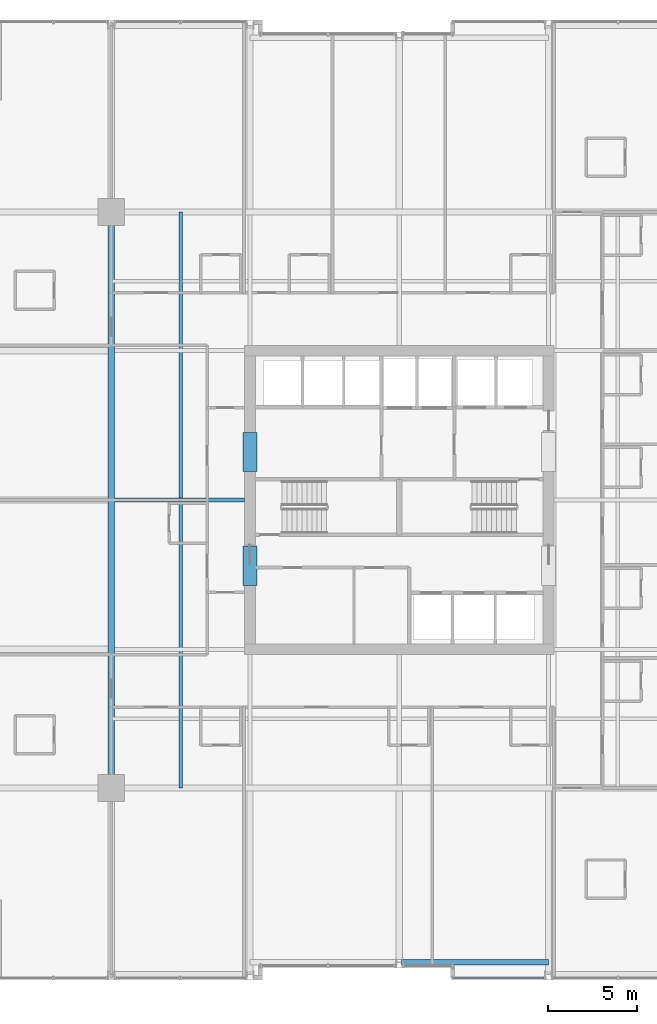
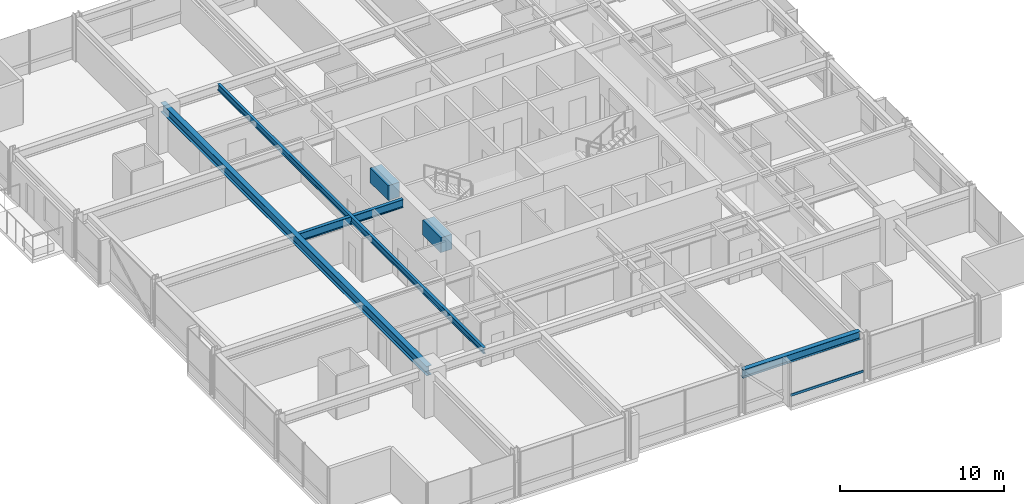
# One storey, part 10 of 35: 6 beams, 1 member, 1 element without a shape of its own.
"""IFC4 building model written with IfcOpenShell, lengths in metres."""

import ifcopenshell
import ifcopenshell.guid

model = None  # the IFC model being written
_history = None  # IfcOwnerHistory: only IFC2X3 demands one
_inside = {}  # id of a spatial element -> (the spatial element, [elements in it])
_under = {}  # id of a project, library or spatial element -> (it, [spatial elements below it])
_declared = {}  # id of a project -> (the project, [libraries it declares])
_typed = {}  # id of a type object -> (the type object, [elements of that type])
_made_of = {}  # id of a material, layer set ... -> (it, [elements and type objects made of it])


def new_model(schema):
    """Start an empty IFC model of exactly this schema.

    Asked for "IFC4X3", IfcOpenShell would pick the latest addendum, in which some entities
    have other attributes; the version numbers below select the first issue.
    IFC2X3 requires an IfcOwnerHistory on every rooted entity: one is made here for all.
    """
    global model, _history
    if schema == "IFC4X3":
        model = ifcopenshell.file(schema_version=(4, 3, 0, 0))
    else:
        model = ifcopenshell.file(schema=schema)
    _inside.clear()
    _under.clear()
    _declared.clear()
    _typed.clear()
    _made_of.clear()
    _history = None
    if model.schema == "IFC2X3":
        org = make("IfcOrganization", Name="unknown")
        user = make(
            "IfcPersonAndOrganization",
            ThePerson=make("IfcPerson", FamilyName="unknown"),
            TheOrganization=org,
        )
        app = make(
            "IfcApplication",
            ApplicationDeveloper=org,
            Version="unknown",
            ApplicationFullName="unknown",
            ApplicationIdentifier="unknown",
        )
        _history = make(
            "IfcOwnerHistory",
            OwningUser=user,
            OwningApplication=app,
            ChangeAction="ADDED",
            CreationDate=0,
        )
    return model


def make(cls, **values):
    """One entity of the class cls with the attributes given. An attribute that is None is left unset."""
    return model.create_entity(
        cls, **{name: value for name, value in values.items() if value is not None}
    )


def rooted(cls, **values):
    """An entity with a GlobalId (a new one), such as an element, a storey or a relation."""
    return make(cls, GlobalId=ifcopenshell.guid.new(), OwnerHistory=_history, **values)


def si_unit(unit_type, name, prefix=None):
    """IfcSIUnit, for example si_unit("LENGTHUNIT", "METRE", prefix="MILLI")."""
    return make("IfcSIUnit", UnitType=unit_type, Prefix=prefix, Name=name)


def assignment(units):
    """IfcUnitAssignment: the units of a project."""
    return None if units is None else make("IfcUnitAssignment", Units=units)


def point(xyz):
    """IfcCartesianPoint."""
    return None if xyz is None else make("IfcCartesianPoint", Coordinates=xyz)


def direction(xyz):
    """IfcDirection."""
    return None if xyz is None else make("IfcDirection", DirectionRatios=xyz)


def frame(location, z_axis=None, x_axis=None):
    """IfcAxis2Placement3D, a coordinate frame: its origin and axes. An axis left out is left unset."""
    return make(
        "IfcAxis2Placement3D",
        Location=point(location),
        Axis=direction(z_axis),
        RefDirection=direction(x_axis),
    )


def frame_2d(location, x_axis=None):
    """IfcAxis2Placement2D, a coordinate frame in the plane: its origin and x axis."""
    return make(
        "IfcAxis2Placement2D", Location=point(location), RefDirection=direction(x_axis)
    )


def origin():
    """The frame at (0, 0, 0) with its axes left unset."""
    return frame((0.0, 0.0, 0.0))


def origin_2d():
    """The frame at (0, 0) in the plane with its x axis left unset."""
    return frame_2d((0.0, 0.0))


def place(relative_to, where):
    """IfcLocalPlacement: puts the frame where relative to a parent placement (None: the world)."""
    return make(
        "IfcLocalPlacement", PlacementRelTo=relative_to, RelativePlacement=where
    )


def context(
    kind, dimensions, precision=None, world=None, true_north=None, identifier=None
):
    """IfcGeometricRepresentationContext, for example the 3D "Model" context."""
    return make(
        "IfcGeometricRepresentationContext",
        ContextIdentifier=identifier,
        ContextType=kind,
        CoordinateSpaceDimension=dimensions,
        Precision=precision,
        WorldCoordinateSystem=world,
        TrueNorth=true_north,
    )


def subcontext(parent, identifier, kind, view, scale=None):
    """IfcGeometricRepresentationSubContext, for example "Body" below "Model"."""
    return make(
        "IfcGeometricRepresentationSubContext",
        ContextIdentifier=identifier,
        ContextType=kind,
        ParentContext=parent,
        TargetScale=scale,
        TargetView=view,
    )


def project(units=None, contexts=None):
    """IfcProject with its units and contexts."""
    return rooted(
        "IfcProject",
        Name="project",
        RepresentationContexts=contexts,
        UnitsInContext=assignment(units),
    )


def spatial(cls, under=None, at=None, **own):
    """A site, building, storey or space (cls), placed at a placement, below another one or the project."""
    s = rooted(cls, ObjectPlacement=at, **own)
    if under is not None:
        _under.setdefault(under.id(), (under, []))[1].append(s)
    return s


def profile(cls, at=None, kind="AREA", **sizes):
    """A parametric profile (cls). Its sizes go by their IFC names, for example OverallWidth=200.0."""
    return make(cls, ProfileType=kind, Position=at, **sizes)


def rectangle(**sizes):
    """IfcRectangleProfileDef."""
    return profile("IfcRectangleProfileDef", **sizes)


def hollow_rectangle(**sizes):
    """IfcRectangleHollowProfileDef."""
    return profile("IfcRectangleHollowProfileDef", **sizes)


def i_section(**sizes):
    """IfcIShapeProfileDef."""
    return profile("IfcIShapeProfileDef", **sizes)


def extrude(swept, where, along, depth):
    """IfcExtrudedAreaSolid: the profile swept, set in the frame where, extruded along a direction by depth."""
    return make(
        "IfcExtrudedAreaSolid",
        SweptArea=swept,
        Position=where,
        ExtrudedDirection=direction(along),
        Depth=depth,
    )


def shape(context_of_items, identifier, shape_type, items):
    """IfcShapeRepresentation: the items that make up one representation, for example the "Body"."""
    return make(
        "IfcShapeRepresentation",
        ContextOfItems=context_of_items,
        RepresentationIdentifier=identifier,
        RepresentationType=shape_type,
        Items=items,
    )


def material(Name=None, Category=None):
    """IfcMaterial."""
    return make("IfcMaterial", Name=Name, Category=Category)


def layer(
    of_material, thickness, ventilated=None, Name=None, Category=None, Priority=None
):
    """IfcMaterialLayer: one layer of a wall or slab, of a material (None: an air gap)."""
    return make(
        "IfcMaterialLayer",
        Material=of_material,
        LayerThickness=thickness,
        IsVentilated=ventilated,
        Name=Name,
        Category=Category,
        Priority=Priority,
    )


def layer_set(layers, Name=None):
    """IfcMaterialLayerSet."""
    return make("IfcMaterialLayerSet", MaterialLayers=layers, LayerSetName=Name)


def material_profile(
    of_material, cross_section, Name=None, Category=None, Priority=None
):
    """IfcMaterialProfile: a cross section and its material."""
    return make(
        "IfcMaterialProfile",
        Name=Name,
        Material=of_material,
        Profile=cross_section,
        Priority=Priority,
        Category=Category,
    )


def profile_set(profiles, Name=None, composite=None):
    """IfcMaterialProfileSet."""
    return make(
        "IfcMaterialProfileSet",
        Name=Name,
        MaterialProfiles=profiles,
        CompositeProfile=composite,
    )


def made_of(thing, what):
    """Note that an element or type object is made of a material, layer set ...; save() writes the relation."""
    if what is not None:
        _made_of.setdefault(what.id(), (what, []))[1].append(thing)
    return thing


def type_object(cls, material=None, **own):
    """A type object (cls), such as IfcWallType, which elements share."""
    return made_of(rooted(cls, **own), material)


def element(
    cls,
    number,
    at=None,
    inside=None,
    cuts=None,
    type_object=None,
    material=None,
    context=None,
    identifier="Body",
    shape_type=None,
    held_by="IfcProductDefinitionShape",
    body=None,
    shapes=None,
    **own,
):
    """One element of the class cls, such as IfcWall. Its Tag is "e" and its number.

    at: its placement. inside: the storey or other place that contains it. cuts: it is an
    opening in that element (IfcRelVoidsElement). A single representation is given by context,
    identifier, shape_type and body (its items); several are given by shapes. held_by: the class
    of the entity that holds the representations. save() writes the other relations.
    """
    e = rooted(cls, Tag="e%d" % number, ObjectPlacement=at, **own)
    if body is not None:
        shapes = [shape(context, identifier, shape_type, body)]
    if shapes is not None:
        e.Representation = make(held_by, Representations=shapes)
    if inside is not None:
        _inside.setdefault(inside.id(), (inside, []))[1].append(e)
    if cuts is not None:
        rooted(
            "IfcRelVoidsElement", RelatingBuildingElement=cuts, RelatedOpeningElement=e
        )
    if type_object is not None:
        _typed.setdefault(type_object.id(), (type_object, []))[1].append(e)
    return made_of(e, material)


def aggregate(whole, parts):
    """IfcRelAggregates: a whole, such as a stair, and the parts it consists of."""
    return rooted("IfcRelAggregates", RelatingObject=whole, RelatedObjects=parts)


def save(model, path):
    """Write the relations noted so far, then the file.

    IfcRelAggregates (storeys below a building ...), IfcRelContainedInSpatialStructure (elements
    in a storey), IfcRelDefinesByType, IfcRelAssociatesMaterial and IfcRelDeclares: one each for
    every whole, place, type object, material and project.
    """
    for whole, parts in _under.values():
        aggregate(whole, parts)
    for where, things in _inside.values():
        rooted(
            "IfcRelContainedInSpatialStructure",
            RelatedElements=things,
            RelatingStructure=where,
        )
    for kind, things in _typed.values():
        rooted("IfcRelDefinesByType", RelatedObjects=things, RelatingType=kind)
    for what, things in _made_of.values():
        rooted("IfcRelAssociatesMaterial", RelatedObjects=things, RelatingMaterial=what)
    for by, libraries in _declared.values():
        rooted("IfcRelDeclares", RelatingContext=by, RelatedDefinitions=libraries)
    model.write(path)


model = new_model("IFC4")

# Units and contexts
model_context = context("Model", 3, precision=1e-05, world=origin(), true_north=direction((0.0, 1.0)))
body_context = subcontext(model_context, "Body", "Model", "MODEL_VIEW")
ifc_project = project(units=[si_unit("LENGTHUNIT", "METRE"), si_unit("AREAUNIT", "SQUARE_METRE"), si_unit("VOLUMEUNIT", "CUBIC_METRE"), si_unit("PLANEANGLEUNIT", "RADIAN"), si_unit("MASSUNIT", "GRAM", prefix="KILO")], contexts=[model_context])

# Site, building, storey
site_placement = place(None, origin())
site = spatial("IfcSite", under=ifc_project, at=site_placement, CompositionType="ELEMENT")
building_placement = place(site_placement, origin())
building = spatial("IfcBuilding", under=site, at=building_placement, Name="Drelvath Grand Hotel", CompositionType="ELEMENT")
storey_placement = place(building_placement, frame((0.0, 0.0, 130.300048828125)))
storey = spatial("IfcBuildingStorey", under=building, at=storey_placement, Name="L33", CompositionType="ELEMENT", Elevation=130.300048828125)

# Beams
ifc_material_1 = material(Name="Steel ASTM A992 Gr 50", Category="steel")
ifc_material_profile_1 = material_profile(ifc_material_1, i_section(OverallWidth=0.19140625, OverallDepth=0.4599609375, WebThickness=0.010009765625, FlangeThickness=0.01611328125, FilletRadius=0.01611328125, at=origin_2d()), Name="W18X55")
ifc_profile_set_1 = profile_set([ifc_material_profile_1], Name="Steel ASTM A992 Gr 50")
beam_type_1 = type_object("IfcBeamType", Name="Composite Floor Joist W18X55", PredefinedType="JOIST", material=ifc_profile_set_1)
beam_1_placement = place(storey_placement, frame((-12.300048828125, 10.800048828125, 3.010009765625), z_axis=(0.0, 1.0, 0.0), x_axis=(-1.0, 0.0, 0.0)))
element("IfcBeam", 1, at=beam_1_placement, inside=storey, type_object=beam_type_1, Name="L33 Wing Floor Joist J3", PredefinedType="JOIST", context=body_context, shape_type="SweptSolid", body=[
    extrude(i_section(OverallWidth=0.19140625, OverallDepth=0.4599609375, WebThickness=0.010009765625, FlangeThickness=0.01611328125, FilletRadius=0.01611328125, at=origin_2d()), origin(), (0.0, 0.0, 1.0), 32.39990234375),
])
ifc_material_2 = material(Name="Concrete f'c 70 MPa", Category="concrete")
ifc_material_profile_2 = material_profile(ifc_material_2, rectangle(XDim=0.800048828125, YDim=1.10009765625, at=origin_2d()), Name="CB800X1100")
ifc_profile_set_2 = profile_set([ifc_material_profile_2], Name="Concrete f'c 70 MPa")
beam_type_2 = type_object("IfcBeamType", Name="Core Coupling Lintel CB800X1100", PredefinedType="LINTEL", material=ifc_profile_set_2)
for number, where, z_axis, x_axis, name in (
    (2, (-8.39990234375, 22.199951171875, 2.68994140625), (0.0, 1.0, 0.0), (-1.0, 0.0, 0.0), "L33 Core Coupling Lintel WS"),
    (3, (-8.39990234375, 28.60009765625, 2.68994140625), (0.0, 1.0, 0.0), (-1.0, 0.0, 0.0), "L33 Core Coupling Lintel WN"),
):
    element("IfcBeam", number, at=place(storey_placement, frame(where, z_axis=z_axis, x_axis=x_axis)), inside=storey, type_object=beam_type_2, Name=name, PredefinedType="LINTEL", context=body_context, shape_type="SweptSolid", body=[
        extrude(rectangle(XDim=0.800048828125, YDim=1.10009765625, at=origin_2d()), origin(), (0.0, 0.0, 1.0), 2.199951171875),
    ])

# Curtain wall, member
ifc_material_3 = material(Name="Champagne Bronze Anodised Aluminium Frame", Category="aluminium")
ifc_layer = layer(ifc_material_3, 0.199951171875)
ifc_layer_set = layer_set([ifc_layer], Name="Champagne Bronze Anodised Aluminium Frame")
curtain_wall_type = type_object("IfcCurtainWallType", Name="Stick Curtain Wall CW-03 Champagne Bronze Mid-Rise", PredefinedType="NOTDEFINED", material=ifc_layer_set)
curtain_wall_placement = place(storey_placement, origin())
curtain_wall = element("IfcCurtainWall", 4, at=curtain_wall_placement, inside=storey, type_object=curtain_wall_type, Name="L33 CW-03 Curtain Wall CW03-L33-SE1", PredefinedType="NOTDEFINED")
ifc_material_profile_3 = material_profile(ifc_material_3, hollow_rectangle(XDim=0.074951171875, YDim=0.179931640625, WallThickness=0.0048828125, at=origin_2d()), Name="HSS180X75X5")
ifc_profile_set_3 = profile_set([ifc_material_profile_3], Name="Champagne Bronze Anodised Aluminium Frame")
member_type = type_object("IfcMemberType", Name="Curtain Wall Horizontal Transom CW-03 HSS180X75X5", PredefinedType="USERDEFINED", material=ifc_profile_set_3)
member_placement = place(storey_placement, frame((8.150634765625, 0.1201171875, 0.81005859375), z_axis=(-1.0, 0.0, 0.0), x_axis=(0.0, -1.0, 0.0)))
member = element("IfcMember", 5, at=member_placement, type_object=member_type, Name="CW03-L33-SE1 Sill Transom", ObjectType="TRANSOM", PredefinedType="USERDEFINED", context=body_context, shape_type="SweptSolid", body=[
    extrude(hollow_rectangle(XDim=0.074951171875, YDim=0.179931640625, WallThickness=0.0048828125, at=origin_2d()), origin(), (0.0, 0.0, 1.0), 5.110595703125),
])
aggregate(curtain_wall, [member])

# Beams
ifc_material_profile_4 = material_profile(ifc_material_1, i_section(OverallWidth=0.323974609375, OverallDepth=0.611083984375, WebThickness=0.0126953125, FlangeThickness=0.01904296875, FilletRadius=0.02197265625, at=origin_2d()), Name="W24X104")
ifc_profile_set_4 = profile_set([ifc_material_profile_4], Name="Steel ASTM A992 Gr 50")
beam_type_3 = type_object("IfcBeamType", Name="Perimeter Spandrel Beam W24X104", PredefinedType="SPANDREL", material=ifc_profile_set_4)
beam_2_placement = place(storey_placement, frame((0.139892578125, 1.0, 2.934326171875), z_axis=(1.0, 0.0, 0.0), x_axis=(0.0, 1.0, 0.0)))
element("IfcBeam", 6, at=beam_2_placement, inside=storey, type_object=beam_type_3, Name="L33 Spandrel South Mid E", PredefinedType="SPANDREL", context=body_context, shape_type="SweptSolid", body=[
    extrude(i_section(OverallWidth=0.323974609375, OverallDepth=0.611083984375, WebThickness=0.0126953125, FlangeThickness=0.01904296875, FilletRadius=0.02197265625, at=origin_2d()), origin(), (0.0, 0.0, 1.0), 8.260009765625),
])
ifc_material_profile_5 = material_profile(ifc_material_1, i_section(OverallWidth=0.228271484375, OverallDepth=0.607666015625, WebThickness=0.01123046875, FlangeThickness=0.017333984375, FilletRadius=0.02001953125, at=origin_2d()), Name="W24X76")
ifc_profile_set_5 = profile_set([ifc_material_profile_5], Name="Steel ASTM A992 Gr 50")
beam_type_4 = type_object("IfcBeamType", Name="Primary Floor Girder W24X76", PredefinedType="BEAM", material=ifc_profile_set_5)
beam_3_placement = place(storey_placement, frame((-16.022705078125, 27.0, 2.93603515625), z_axis=(1.0, 0.0, 0.0), x_axis=(0.0, 1.0, 0.0)))
element("IfcBeam", 7, at=beam_3_placement, inside=storey, type_object=beam_type_4, Name="L33 West Core Tie E", PredefinedType="BEAM", context=body_context, shape_type="SweptSolid", body=[
    extrude(i_section(OverallWidth=0.228271484375, OverallDepth=0.607666015625, WebThickness=0.01123046875, FlangeThickness=0.017333984375, FilletRadius=0.02001953125, at=origin_2d()), origin(), (0.0, 0.0, 1.0), 7.32275390625),
])
ifc_material_profile_6 = material_profile(ifc_material_1, i_section(OverallWidth=0.354736328125, OverallDepth=0.695556640625, WebThickness=0.015380859375, FlangeThickness=0.025146484375, FilletRadius=0.02392578125, at=origin_2d()), Name="W27X146")
ifc_profile_set_6 = profile_set([ifc_material_profile_6], Name="Steel ASTM A992 Gr 50")
beam_type_5 = type_object("IfcBeamType", Name="Primary Floor Girder W27X146", PredefinedType="BEAM", material=ifc_profile_set_6)
beam_4_placement = place(storey_placement, frame((-16.199951171875, 10.800048828125, 2.892333984375), z_axis=(0.0, 1.0, 0.0), x_axis=(-1.0, 0.0, 0.0)))
element("IfcBeam", 8, at=beam_4_placement, inside=storey, type_object=beam_type_5, Name="L33 Mega Ring Girder West", PredefinedType="BEAM", context=body_context, shape_type="SweptSolid", body=[
    extrude(i_section(OverallWidth=0.354736328125, OverallDepth=0.695556640625, WebThickness=0.015380859375, FlangeThickness=0.025146484375, FilletRadius=0.02392578125, at=origin_2d()), origin(), (0.0, 0.0, 1.0), 32.39990234375),
])

save(model, "model.ifc")
